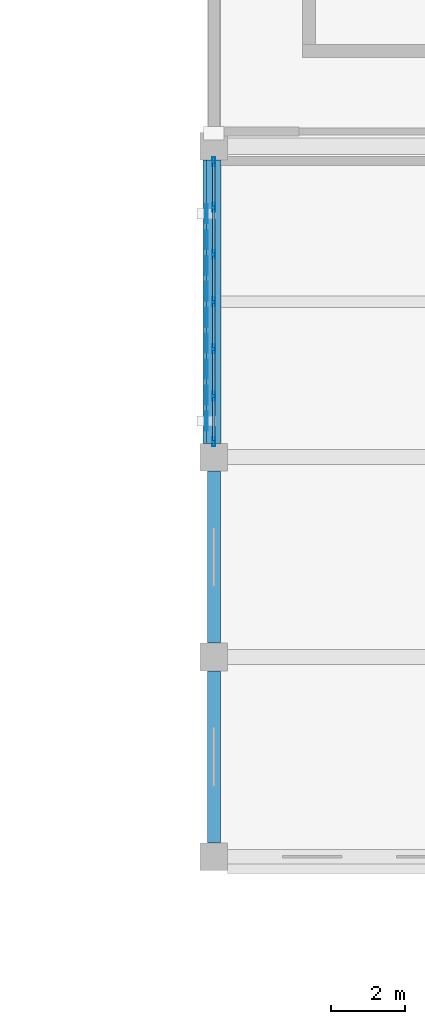
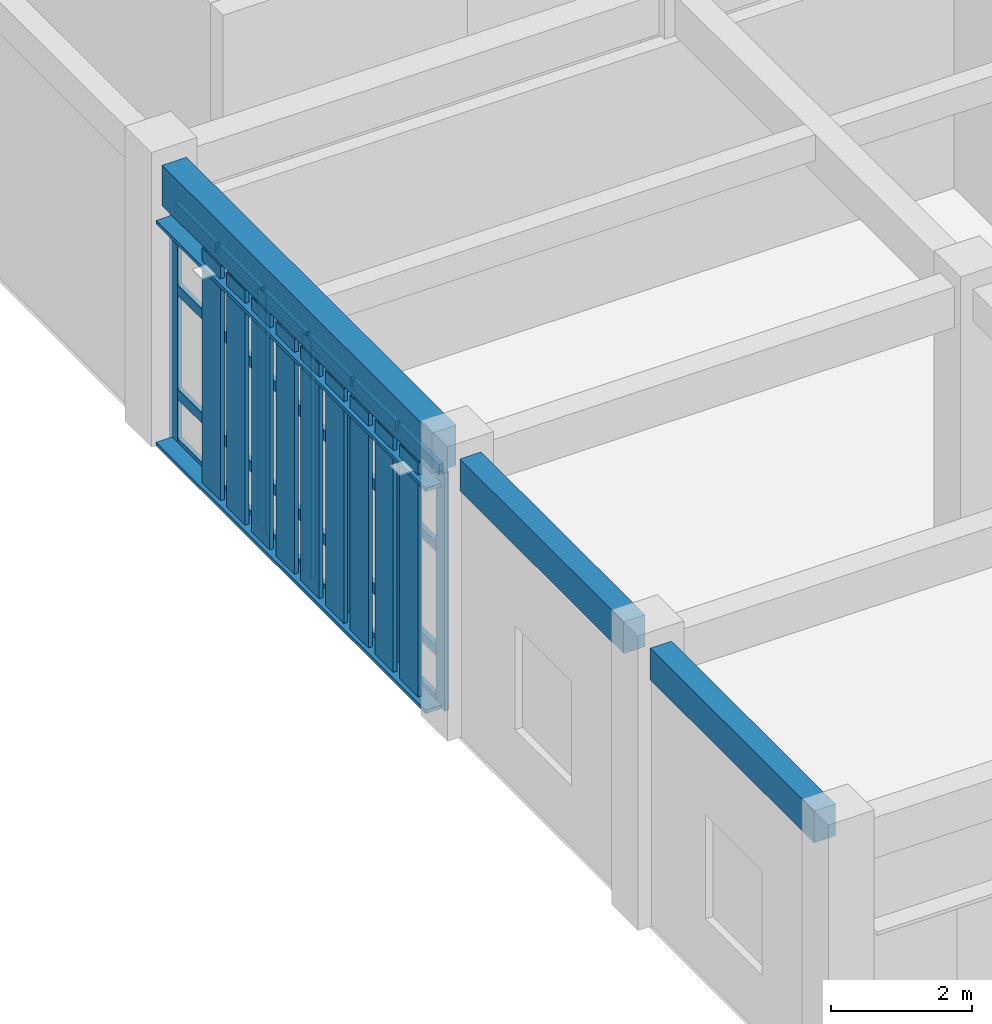
# One storey, part 40 of 93: 42 members, 3 beams, 1 element without a shape of its own.
"""IFC4 building model written with IfcOpenShell, lengths in metres."""

from ifc_helpers import new_model, si_unit, direction, frame, origin, origin_2d, place, context, subcontext, project, spatial, rectangle, hollow_rectangle, extrude, material, layer, layer_set, material_profile, profile_set, type_object, element, aggregate, save


model = new_model("IFC4")

# Units and contexts
model_context = context("Model", 3, precision=1e-05, world=origin(), true_north=direction((0.0, 1.0)))
body_context = subcontext(model_context, "Body", "Model", "MODEL_VIEW")
ifc_project = project(units=[si_unit("LENGTHUNIT", "METRE"), si_unit("AREAUNIT", "SQUARE_METRE"), si_unit("VOLUMEUNIT", "CUBIC_METRE"), si_unit("PLANEANGLEUNIT", "RADIAN"), si_unit("MASSUNIT", "GRAM", prefix="KILO")], contexts=[model_context])

# Site, building, storey
site_placement = place(None, origin())
site = spatial("IfcSite", under=ifc_project, at=site_placement, CompositionType="ELEMENT")
building_placement = place(site_placement, origin())
building = spatial("IfcBuilding", under=site, at=building_placement, Name="Krzemoval Escarpment Law Courts", CompositionType="ELEMENT")
storey_placement = place(building_placement, frame((0.0, 0.0, 10.199951171875)))
storey = spatial("IfcBuildingStorey", under=building, at=storey_placement, Name="L02", CompositionType="ELEMENT", Elevation=10.199951171875)

# Beams
ifc_material_1 = material(Name="Concrete C40/50", Category="concrete")
ifc_material_profile_1 = material_profile(ifc_material_1, rectangle(XDim=0.35009765625, YDim=0.550048828125, at=origin_2d()), Name="RCB 350x550")
ifc_profile_set_1 = profile_set([ifc_material_profile_1], Name="Concrete C40/50")
beam_type_1 = type_object("IfcBeamType", Name="BM-RC-350x550", PredefinedType="BEAM", material=ifc_profile_set_1)
beam_1_placement = place(storey_placement, frame((126.0, 74.77490234375, 4.545166015625), z_axis=(0.0, 1.0, 0.0), x_axis=(-1.0, 0.0, 0.0)))
element("IfcBeam", 1, at=beam_1_placement, inside=storey, type_object=beam_type_1, Name="Beam FG-L02-1959", PredefinedType="BEAM", context=body_context, shape_type="SweptSolid", body=[
    extrude(rectangle(XDim=0.35009765625, YDim=0.550048828125, at=origin_2d()), origin(), (0.0, 0.0, 1.0), 4.650146484375),
])
beam_2_placement = place(storey_placement, frame((126.0, 80.175048828125, 4.545166015625), z_axis=(0.0, 1.0, 0.0), x_axis=(-1.0, 0.0, 0.0)))
element("IfcBeam", 2, at=beam_2_placement, inside=storey, type_object=beam_type_1, Name="Beam FG-L02-1960", PredefinedType="BEAM", context=body_context, shape_type="SweptSolid", body=[
    extrude(rectangle(XDim=0.35009765625, YDim=0.550048828125, at=origin_2d()), origin(), (0.0, 0.0, 1.0), 4.64990234375),
])
ifc_material_2 = material(Name="Concrete C40/50", Category="concrete")
ifc_material_profile_2 = material_profile(ifc_material_2, rectangle(XDim=0.39990234375, YDim=0.699951171875, at=origin_2d()), Name="RCB 400x700")
ifc_profile_set_2 = profile_set([ifc_material_profile_2], Name="Concrete C40/50")
beam_type_2 = type_object("IfcBeamType", Name="BM-RC-400x700", PredefinedType="BEAM", material=ifc_profile_set_2)
beam_3_placement = place(storey_placement, frame((126.0, 85.574951171875, 4.469970703125), z_axis=(0.0, 1.0, 0.0), x_axis=(-1.0, 0.0, 0.0)))
element("IfcBeam", 3, at=beam_3_placement, inside=storey, type_object=beam_type_2, Name="Beam FG-L02-1961", PredefinedType="BEAM", context=body_context, shape_type="SweptSolid", body=[
    extrude(rectangle(XDim=0.39990234375, YDim=0.699951171875, at=origin_2d()), origin(), (0.0, 0.0, 1.0), 7.650146484375),
])

# Curtain wall, members
ifc_material_3 = material(Name="Aluminium 6063-T6", Category="aluminium")
ifc_layer = layer(ifc_material_3, 0.239990234375)
ifc_layer_set = layer_set([ifc_layer], Name="Aluminium 6063-T6")
curtain_wall_type = type_object("IfcCurtainWallType", Name="CW-CHMB-4800", PredefinedType="USERDEFINED", material=ifc_layer_set)
curtain_wall_placement = place(storey_placement, origin())
curtain_wall = element("IfcCurtainWall", 4, at=curtain_wall_placement, inside=storey, type_object=curtain_wall_type, Name="Unitised Curtain Wall FCW-L02-094", ObjectType="UNITISED_CURTAIN_WALL", PredefinedType="USERDEFINED")
ifc_material_4 = material(Name="Aluminium 6063-T6", Category="aluminium")
ifc_material_profile_3 = material_profile(ifc_material_4, hollow_rectangle(XDim=0.074951171875, YDim=0.239990234375, WallThickness=0.0048828125, at=origin_2d()), Name="ALU M75x240")
ifc_profile_set_3 = profile_set([ifc_material_profile_3], Name="Aluminium 6063-T6")
member_type_1 = type_object("IfcMemberType", Name="CWM-75x240", PredefinedType="MULLION", material=ifc_profile_set_3)
member_1_placement = place(storey_placement, frame((126.0, 85.612548828125, 0.0), z_axis=(0.0, 0.0, 1.0), x_axis=(-1.0, 0.0, 0.0)))
member_1 = element("IfcMember", 5, at=member_1_placement, type_object=member_type_1, Name="FCW-L02-094 mullion 1", PredefinedType="MULLION", context=body_context, shape_type="SweptSolid", body=[
    extrude(hollow_rectangle(XDim=0.074951171875, YDim=0.239990234375, WallThickness=0.0048828125, at=origin_2d()), origin(), (0.0, 0.0, 1.0), 4.1201171875),
])
member_2_placement = place(storey_placement, frame((126.0, 86.85009765625, 0.0), z_axis=(0.0, 0.0, 1.0), x_axis=(-1.0, 0.0, 0.0)))
member_2 = element("IfcMember", 6, at=member_2_placement, type_object=member_type_1, Name="FCW-L02-094 mullion 2", PredefinedType="MULLION", context=body_context, shape_type="SweptSolid", body=[
    extrude(hollow_rectangle(XDim=0.074951171875, YDim=0.239990234375, WallThickness=0.0048828125, at=origin_2d()), origin(), (0.0, 0.0, 1.0), 4.1201171875),
])
member_3_placement = place(storey_placement, frame((126.0, 88.125, 0.0), z_axis=(0.0, 0.0, 1.0), x_axis=(-1.0, 0.0, 0.0)))
member_3 = element("IfcMember", 7, at=member_3_placement, type_object=member_type_1, Name="FCW-L02-094 mullion 3", PredefinedType="MULLION", context=body_context, shape_type="SweptSolid", body=[
    extrude(hollow_rectangle(XDim=0.074951171875, YDim=0.239990234375, WallThickness=0.0048828125, at=origin_2d()), origin(), (0.0, 0.0, 1.0), 4.1201171875),
])
member_4_placement = place(storey_placement, frame((126.0, 89.39990234375, 0.0), z_axis=(0.0, 0.0, 1.0), x_axis=(-1.0, 0.0, 0.0)))
member_4 = element("IfcMember", 8, at=member_4_placement, type_object=member_type_1, Name="FCW-L02-094 mullion 4", PredefinedType="MULLION", context=body_context, shape_type="SweptSolid", body=[
    extrude(hollow_rectangle(XDim=0.074951171875, YDim=0.239990234375, WallThickness=0.0048828125, at=origin_2d()), origin(), (0.0, 0.0, 1.0), 4.1201171875),
])
member_5_placement = place(storey_placement, frame((126.0, 90.675048828125, 0.0), z_axis=(0.0, 0.0, 1.0), x_axis=(-1.0, 0.0, 0.0)))
member_5 = element("IfcMember", 9, at=member_5_placement, type_object=member_type_1, Name="FCW-L02-094 mullion 5", PredefinedType="MULLION", context=body_context, shape_type="SweptSolid", body=[
    extrude(hollow_rectangle(XDim=0.074951171875, YDim=0.239990234375, WallThickness=0.0048828125, at=origin_2d()), origin(), (0.0, 0.0, 1.0), 4.1201171875),
])
member_6_placement = place(storey_placement, frame((126.0, 91.949951171875, 0.0), z_axis=(0.0, 0.0, 1.0), x_axis=(-1.0, 0.0, 0.0)))
member_6 = element("IfcMember", 10, at=member_6_placement, type_object=member_type_1, Name="FCW-L02-094 mullion 6", PredefinedType="MULLION", context=body_context, shape_type="SweptSolid", body=[
    extrude(hollow_rectangle(XDim=0.074951171875, YDim=0.239990234375, WallThickness=0.0048828125, at=origin_2d()), origin(), (0.0, 0.0, 1.0), 4.1201171875),
])
member_7_placement = place(storey_placement, frame((126.0, 93.1875, 0.0), z_axis=(0.0, 0.0, 1.0), x_axis=(-1.0, 0.0, 0.0)))
member_7 = element("IfcMember", 11, at=member_7_placement, type_object=member_type_1, Name="FCW-L02-094 mullion 7", PredefinedType="MULLION", context=body_context, shape_type="SweptSolid", body=[
    extrude(hollow_rectangle(XDim=0.074951171875, YDim=0.239990234375, WallThickness=0.0048828125, at=origin_2d()), origin(), (0.0, 0.0, 1.0), 4.1201171875),
])
ifc_material_5 = material(Name="Aluminium 6063-T6", Category="aluminium")
ifc_material_profile_4 = material_profile(ifc_material_5, hollow_rectangle(XDim=0.074951171875, YDim=0.179931640625, WallThickness=0.0048828125, at=origin_2d()), Name="ALU T75x180")
ifc_profile_set_4 = profile_set([ifc_material_profile_4], Name="Aluminium 6063-T6")
member_type_2 = type_object("IfcMemberType", Name="CWT-75x180", PredefinedType="USERDEFINED", material=ifc_profile_set_4)
member_8_placement = place(storey_placement, frame((126.0, 85.64990234375, 0.03759765625), z_axis=(0.0, 1.0, 0.0), x_axis=(-1.0, 0.0, 0.0)))
member_8 = element("IfcMember", 12, at=member_8_placement, type_object=member_type_2, Name="FCW-L02-094 transom 1.1", ObjectType="TRANSOM", PredefinedType="USERDEFINED", context=body_context, shape_type="SweptSolid", body=[
    extrude(hollow_rectangle(XDim=0.074951171875, YDim=0.179931640625, WallThickness=0.0048828125, at=origin_2d()), origin(), (0.0, 0.0, 1.0), 1.16259765625),
])
member_9_placement = place(storey_placement, frame((126.0, 85.64990234375, 0.900146484375), z_axis=(0.0, 1.0, 0.0), x_axis=(-1.0, 0.0, 0.0)))
member_9 = element("IfcMember", 13, at=member_9_placement, type_object=member_type_2, Name="FCW-L02-094 transom 1.2", ObjectType="TRANSOM", PredefinedType="USERDEFINED", context=body_context, shape_type="SweptSolid", body=[
    extrude(hollow_rectangle(XDim=0.074951171875, YDim=0.179931640625, WallThickness=0.0048828125, at=origin_2d()), origin(), (0.0, 0.0, 1.0), 1.16259765625),
])
member_10_placement = place(storey_placement, frame((126.0, 85.64990234375, 2.699951171875), z_axis=(0.0, 1.0, 0.0), x_axis=(-1.0, 0.0, 0.0)))
member_10 = element("IfcMember", 14, at=member_10_placement, type_object=member_type_2, Name="FCW-L02-094 transom 1.3", ObjectType="TRANSOM", PredefinedType="USERDEFINED", context=body_context, shape_type="SweptSolid", body=[
    extrude(hollow_rectangle(XDim=0.074951171875, YDim=0.179931640625, WallThickness=0.0048828125, at=origin_2d()), origin(), (0.0, 0.0, 1.0), 1.16259765625),
])
member_11_placement = place(storey_placement, frame((126.0, 85.64990234375, 4.08251953125), z_axis=(0.0, 1.0, 0.0), x_axis=(-1.0, 0.0, 0.0)))
member_11 = element("IfcMember", 15, at=member_11_placement, type_object=member_type_2, Name="FCW-L02-094 transom 1.4", ObjectType="TRANSOM", PredefinedType="USERDEFINED", context=body_context, shape_type="SweptSolid", body=[
    extrude(hollow_rectangle(XDim=0.074951171875, YDim=0.179931640625, WallThickness=0.0048828125, at=origin_2d()), origin(), (0.0, 0.0, 1.0), 1.16259765625),
])
member_12_placement = place(storey_placement, frame((126.0, 86.887451171875, 0.03759765625), z_axis=(0.0, 1.0, 0.0), x_axis=(-1.0, 0.0, 0.0)))
member_12 = element("IfcMember", 16, at=member_12_placement, type_object=member_type_2, Name="FCW-L02-094 transom 2.1", ObjectType="TRANSOM", PredefinedType="USERDEFINED", context=body_context, shape_type="SweptSolid", body=[
    extrude(hollow_rectangle(XDim=0.074951171875, YDim=0.179931640625, WallThickness=0.0048828125, at=origin_2d()), origin(), (0.0, 0.0, 1.0), 1.199951171875),
])
member_13_placement = place(storey_placement, frame((126.0, 86.887451171875, 0.900146484375), z_axis=(0.0, 1.0, 0.0), x_axis=(-1.0, 0.0, 0.0)))
member_13 = element("IfcMember", 17, at=member_13_placement, type_object=member_type_2, Name="FCW-L02-094 transom 2.2", ObjectType="TRANSOM", PredefinedType="USERDEFINED", context=body_context, shape_type="SweptSolid", body=[
    extrude(hollow_rectangle(XDim=0.074951171875, YDim=0.179931640625, WallThickness=0.0048828125, at=origin_2d()), origin(), (0.0, 0.0, 1.0), 1.199951171875),
])
member_14_placement = place(storey_placement, frame((126.0, 86.887451171875, 2.699951171875), z_axis=(0.0, 1.0, 0.0), x_axis=(-1.0, 0.0, 0.0)))
member_14 = element("IfcMember", 18, at=member_14_placement, type_object=member_type_2, Name="FCW-L02-094 transom 2.3", ObjectType="TRANSOM", PredefinedType="USERDEFINED", context=body_context, shape_type="SweptSolid", body=[
    extrude(hollow_rectangle(XDim=0.074951171875, YDim=0.179931640625, WallThickness=0.0048828125, at=origin_2d()), origin(), (0.0, 0.0, 1.0), 1.199951171875),
])
member_15_placement = place(storey_placement, frame((126.0, 86.887451171875, 4.08251953125), z_axis=(0.0, 1.0, 0.0), x_axis=(-1.0, 0.0, 0.0)))
member_15 = element("IfcMember", 19, at=member_15_placement, type_object=member_type_2, Name="FCW-L02-094 transom 2.4", ObjectType="TRANSOM", PredefinedType="USERDEFINED", context=body_context, shape_type="SweptSolid", body=[
    extrude(hollow_rectangle(XDim=0.074951171875, YDim=0.179931640625, WallThickness=0.0048828125, at=origin_2d()), origin(), (0.0, 0.0, 1.0), 1.199951171875),
])
member_16_placement = place(storey_placement, frame((126.0, 88.16259765625, 0.03759765625), z_axis=(0.0, 1.0, 0.0), x_axis=(-1.0, 0.0, 0.0)))
member_16 = element("IfcMember", 20, at=member_16_placement, type_object=member_type_2, Name="FCW-L02-094 transom 3.1", ObjectType="TRANSOM", PredefinedType="USERDEFINED", context=body_context, shape_type="SweptSolid", body=[
    extrude(hollow_rectangle(XDim=0.074951171875, YDim=0.179931640625, WallThickness=0.0048828125, at=origin_2d()), origin(), (0.0, 0.0, 1.0), 1.199951171875),
])
member_17_placement = place(storey_placement, frame((126.0, 88.16259765625, 0.900146484375), z_axis=(0.0, 1.0, 0.0), x_axis=(-1.0, 0.0, 0.0)))
member_17 = element("IfcMember", 21, at=member_17_placement, type_object=member_type_2, Name="FCW-L02-094 transom 3.2", ObjectType="TRANSOM", PredefinedType="USERDEFINED", context=body_context, shape_type="SweptSolid", body=[
    extrude(hollow_rectangle(XDim=0.074951171875, YDim=0.179931640625, WallThickness=0.0048828125, at=origin_2d()), origin(), (0.0, 0.0, 1.0), 1.199951171875),
])
member_18_placement = place(storey_placement, frame((126.0, 88.16259765625, 2.699951171875), z_axis=(0.0, 1.0, 0.0), x_axis=(-1.0, 0.0, 0.0)))
member_18 = element("IfcMember", 22, at=member_18_placement, type_object=member_type_2, Name="FCW-L02-094 transom 3.3", ObjectType="TRANSOM", PredefinedType="USERDEFINED", context=body_context, shape_type="SweptSolid", body=[
    extrude(hollow_rectangle(XDim=0.074951171875, YDim=0.179931640625, WallThickness=0.0048828125, at=origin_2d()), origin(), (0.0, 0.0, 1.0), 1.199951171875),
])
member_19_placement = place(storey_placement, frame((126.0, 88.16259765625, 4.08251953125), z_axis=(0.0, 1.0, 0.0), x_axis=(-1.0, 0.0, 0.0)))
member_19 = element("IfcMember", 23, at=member_19_placement, type_object=member_type_2, Name="FCW-L02-094 transom 3.4", ObjectType="TRANSOM", PredefinedType="USERDEFINED", context=body_context, shape_type="SweptSolid", body=[
    extrude(hollow_rectangle(XDim=0.074951171875, YDim=0.179931640625, WallThickness=0.0048828125, at=origin_2d()), origin(), (0.0, 0.0, 1.0), 1.199951171875),
])
member_20_placement = place(storey_placement, frame((126.0, 89.4375, 0.03759765625), z_axis=(0.0, 1.0, 0.0), x_axis=(-1.0, 0.0, 0.0)))
member_20 = element("IfcMember", 24, at=member_20_placement, type_object=member_type_2, Name="FCW-L02-094 transom 4.1", ObjectType="TRANSOM", PredefinedType="USERDEFINED", context=body_context, shape_type="SweptSolid", body=[
    extrude(hollow_rectangle(XDim=0.074951171875, YDim=0.179931640625, WallThickness=0.0048828125, at=origin_2d()), origin(), (0.0, 0.0, 1.0), 1.199951171875),
])
member_21_placement = place(storey_placement, frame((126.0, 89.4375, 0.900146484375), z_axis=(0.0, 1.0, 0.0), x_axis=(-1.0, 0.0, 0.0)))
member_21 = element("IfcMember", 25, at=member_21_placement, type_object=member_type_2, Name="FCW-L02-094 transom 4.2", ObjectType="TRANSOM", PredefinedType="USERDEFINED", context=body_context, shape_type="SweptSolid", body=[
    extrude(hollow_rectangle(XDim=0.074951171875, YDim=0.179931640625, WallThickness=0.0048828125, at=origin_2d()), origin(), (0.0, 0.0, 1.0), 1.199951171875),
])
member_22_placement = place(storey_placement, frame((126.0, 89.4375, 2.699951171875), z_axis=(0.0, 1.0, 0.0), x_axis=(-1.0, 0.0, 0.0)))
member_22 = element("IfcMember", 26, at=member_22_placement, type_object=member_type_2, Name="FCW-L02-094 transom 4.3", ObjectType="TRANSOM", PredefinedType="USERDEFINED", context=body_context, shape_type="SweptSolid", body=[
    extrude(hollow_rectangle(XDim=0.074951171875, YDim=0.179931640625, WallThickness=0.0048828125, at=origin_2d()), origin(), (0.0, 0.0, 1.0), 1.199951171875),
])
member_23_placement = place(storey_placement, frame((126.0, 89.4375, 4.08251953125), z_axis=(0.0, 1.0, 0.0), x_axis=(-1.0, 0.0, 0.0)))
member_23 = element("IfcMember", 27, at=member_23_placement, type_object=member_type_2, Name="FCW-L02-094 transom 4.4", ObjectType="TRANSOM", PredefinedType="USERDEFINED", context=body_context, shape_type="SweptSolid", body=[
    extrude(hollow_rectangle(XDim=0.074951171875, YDim=0.179931640625, WallThickness=0.0048828125, at=origin_2d()), origin(), (0.0, 0.0, 1.0), 1.199951171875),
])
member_24_placement = place(storey_placement, frame((126.0, 90.71240234375, 0.03759765625), z_axis=(0.0, 1.0, 0.0), x_axis=(-1.0, 0.0, 0.0)))
member_24 = element("IfcMember", 28, at=member_24_placement, type_object=member_type_2, Name="FCW-L02-094 transom 5.1", ObjectType="TRANSOM", PredefinedType="USERDEFINED", context=body_context, shape_type="SweptSolid", body=[
    extrude(hollow_rectangle(XDim=0.074951171875, YDim=0.179931640625, WallThickness=0.0048828125, at=origin_2d()), origin(), (0.0, 0.0, 1.0), 1.2001953125),
])
member_25_placement = place(storey_placement, frame((126.0, 90.71240234375, 0.900146484375), z_axis=(0.0, 1.0, 0.0), x_axis=(-1.0, 0.0, 0.0)))
member_25 = element("IfcMember", 29, at=member_25_placement, type_object=member_type_2, Name="FCW-L02-094 transom 5.2", ObjectType="TRANSOM", PredefinedType="USERDEFINED", context=body_context, shape_type="SweptSolid", body=[
    extrude(hollow_rectangle(XDim=0.074951171875, YDim=0.179931640625, WallThickness=0.0048828125, at=origin_2d()), origin(), (0.0, 0.0, 1.0), 1.2001953125),
])
member_26_placement = place(storey_placement, frame((126.0, 90.71240234375, 2.699951171875), z_axis=(0.0, 1.0, 0.0), x_axis=(-1.0, 0.0, 0.0)))
member_26 = element("IfcMember", 30, at=member_26_placement, type_object=member_type_2, Name="FCW-L02-094 transom 5.3", ObjectType="TRANSOM", PredefinedType="USERDEFINED", context=body_context, shape_type="SweptSolid", body=[
    extrude(hollow_rectangle(XDim=0.074951171875, YDim=0.179931640625, WallThickness=0.0048828125, at=origin_2d()), origin(), (0.0, 0.0, 1.0), 1.2001953125),
])
member_27_placement = place(storey_placement, frame((126.0, 90.71240234375, 4.08251953125), z_axis=(0.0, 1.0, 0.0), x_axis=(-1.0, 0.0, 0.0)))
member_27 = element("IfcMember", 31, at=member_27_placement, type_object=member_type_2, Name="FCW-L02-094 transom 5.4", ObjectType="TRANSOM", PredefinedType="USERDEFINED", context=body_context, shape_type="SweptSolid", body=[
    extrude(hollow_rectangle(XDim=0.074951171875, YDim=0.179931640625, WallThickness=0.0048828125, at=origin_2d()), origin(), (0.0, 0.0, 1.0), 1.2001953125),
])
member_28_placement = place(storey_placement, frame((126.0, 91.987548828125, 0.03759765625), z_axis=(0.0, 1.0, 0.0), x_axis=(-1.0, 0.0, 0.0)))
member_28 = element("IfcMember", 32, at=member_28_placement, type_object=member_type_2, Name="FCW-L02-094 transom 6.1", ObjectType="TRANSOM", PredefinedType="USERDEFINED", context=body_context, shape_type="SweptSolid", body=[
    extrude(hollow_rectangle(XDim=0.074951171875, YDim=0.179931640625, WallThickness=0.0048828125, at=origin_2d()), origin(), (0.0, 0.0, 1.0), 1.162353515625),
])
member_29_placement = place(storey_placement, frame((126.0, 91.987548828125, 0.900146484375), z_axis=(0.0, 1.0, 0.0), x_axis=(-1.0, 0.0, 0.0)))
member_29 = element("IfcMember", 33, at=member_29_placement, type_object=member_type_2, Name="FCW-L02-094 transom 6.2", ObjectType="TRANSOM", PredefinedType="USERDEFINED", context=body_context, shape_type="SweptSolid", body=[
    extrude(hollow_rectangle(XDim=0.074951171875, YDim=0.179931640625, WallThickness=0.0048828125, at=origin_2d()), origin(), (0.0, 0.0, 1.0), 1.162353515625),
])
member_30_placement = place(storey_placement, frame((126.0, 91.987548828125, 2.699951171875), z_axis=(0.0, 1.0, 0.0), x_axis=(-1.0, 0.0, 0.0)))
member_30 = element("IfcMember", 34, at=member_30_placement, type_object=member_type_2, Name="FCW-L02-094 transom 6.3", ObjectType="TRANSOM", PredefinedType="USERDEFINED", context=body_context, shape_type="SweptSolid", body=[
    extrude(hollow_rectangle(XDim=0.074951171875, YDim=0.179931640625, WallThickness=0.0048828125, at=origin_2d()), origin(), (0.0, 0.0, 1.0), 1.162353515625),
])
member_31_placement = place(storey_placement, frame((126.0, 91.987548828125, 4.08251953125), z_axis=(0.0, 1.0, 0.0), x_axis=(-1.0, 0.0, 0.0)))
member_31 = element("IfcMember", 35, at=member_31_placement, type_object=member_type_2, Name="FCW-L02-094 transom 6.4", ObjectType="TRANSOM", PredefinedType="USERDEFINED", context=body_context, shape_type="SweptSolid", body=[
    extrude(hollow_rectangle(XDim=0.074951171875, YDim=0.179931640625, WallThickness=0.0048828125, at=origin_2d()), origin(), (0.0, 0.0, 1.0), 1.162353515625),
])
aggregate(curtain_wall, [member_1, member_2, member_3, member_4, member_5, member_6, member_7, member_8, member_9, member_10, member_11, member_12, member_13, member_14, member_15, member_16, member_17, member_18, member_19, member_20, member_21, member_22, member_23, member_24, member_25, member_26, member_27, member_28, member_29, member_30, member_31])

# Members
ifc_material_6 = material(Name="Anodised Aluminium Alloy 6063-T6", Category="aluminium")
ifc_material_profile_5 = material_profile(ifc_material_6, hollow_rectangle(XDim=0.06005859375, YDim=0.320068359375, WallThickness=0.00390625, at=origin_2d()), Name="ALU LVR 60x320")
ifc_profile_set_5 = profile_set([ifc_material_profile_5], Name="Anodised Aluminium Alloy 6063-T6")
member_type_3 = type_object("IfcMemberType", Name="LVR-ALU-320", PredefinedType="USERDEFINED", material=ifc_profile_set_5)
for number, where, z_axis, x_axis, name in (
    (36, (125.860107421875, 85.574951171875, 0.030029296875), (0.0, 1.0, 0.0), (0.0, 0.0, 1.0), "Sunshade Support Rail FSR-L02-0588"),
    (37, (125.860107421875, 85.574951171875, 3.8701171875), (0.0, 1.0, 0.0), (0.0, 0.0, 1.0), "Sunshade Support Rail FSR-L02-0589"),
):
    element("IfcMember", number, at=place(storey_placement, frame(where, z_axis=z_axis, x_axis=x_axis)), inside=storey, type_object=member_type_3, Name=name, ObjectType="SUNSHADE_LOUVRE", PredefinedType="USERDEFINED", context=body_context, shape_type="SweptSolid", body=[
        extrude(hollow_rectangle(XDim=0.06005859375, YDim=0.320068359375, WallThickness=0.00390625, at=origin_2d()), origin(), (0.0, 0.0, 1.0), 7.650146484375),
    ])
ifc_material_7 = material(Name="Anodised Aluminium Alloy 6063-T6", Category="aluminium")
ifc_material_profile_6 = material_profile(ifc_material_7, hollow_rectangle(XDim=0.06494140625, YDim=0.52001953125, WallThickness=0.00439453125, at=origin_2d()), Name="ALU LVR 65x520")
ifc_profile_set_6 = profile_set([ifc_material_profile_6], Name="Anodised Aluminium Alloy 6063-T6")
member_type_4 = type_object("IfcMemberType", Name="LVR-ALU-520", PredefinedType="USERDEFINED", material=ifc_profile_set_6)
for number, where, z_axis, x_axis, name in (
    (38, (125.800048828125, 86.175048828125, 0.06005859375), (0.0, 0.0, 1.0), (1.0, 0.0, 0.0), "Sunshade Louvre Fin FLV-L02-0590"),
    (39, (125.800048828125, 86.875, 0.06005859375), (0.0, 0.0, 1.0), (1.0, 0.0, 0.0), "Sunshade Louvre Fin FLV-L02-0591"),
    (40, (125.800048828125, 87.574951171875, 0.06005859375), (0.0, 0.0, 1.0), (1.0, 0.0, 0.0), "Sunshade Louvre Fin FLV-L02-0592"),
    (41, (125.800048828125, 88.27490234375, 0.06005859375), (0.0, 0.0, 1.0), (1.0, 0.0, 0.0), "Sunshade Louvre Fin FLV-L02-0593"),
    (42, (125.800048828125, 88.97509765625, 0.06005859375), (0.0, 0.0, 1.0), (1.0, 0.0, 0.0), "Sunshade Louvre Fin FLV-L02-0594"),
    (43, (125.800048828125, 89.675048828125, 0.06005859375), (0.0, 0.0, 1.0), (1.0, 0.0, 0.0), "Sunshade Louvre Fin FLV-L02-0595"),
    (44, (125.800048828125, 90.375, 0.06005859375), (0.0, 0.0, 1.0), (1.0, 0.0, 0.0), "Sunshade Louvre Fin FLV-L02-0596"),
    (45, (125.800048828125, 91.074951171875, 0.06005859375), (0.0, 0.0, 1.0), (1.0, 0.0, 0.0), "Sunshade Louvre Fin FLV-L02-0597"),
    (46, (125.800048828125, 91.77490234375, 0.06005859375), (0.0, 0.0, 1.0), (1.0, 0.0, 0.0), "Sunshade Louvre Fin FLV-L02-0598"),
):
    element("IfcMember", number, at=place(storey_placement, frame(where, z_axis=z_axis, x_axis=x_axis)), inside=storey, type_object=member_type_4, Name=name, ObjectType="SUNSHADE_LOUVRE", PredefinedType="USERDEFINED", context=body_context, shape_type="SweptSolid", body=[
        extrude(hollow_rectangle(XDim=0.06494140625, YDim=0.52001953125, WallThickness=0.00439453125, at=origin_2d()), origin(), (0.0, 0.0, 1.0), 4.06005859375),
    ])

save(model, "model.ifc")
